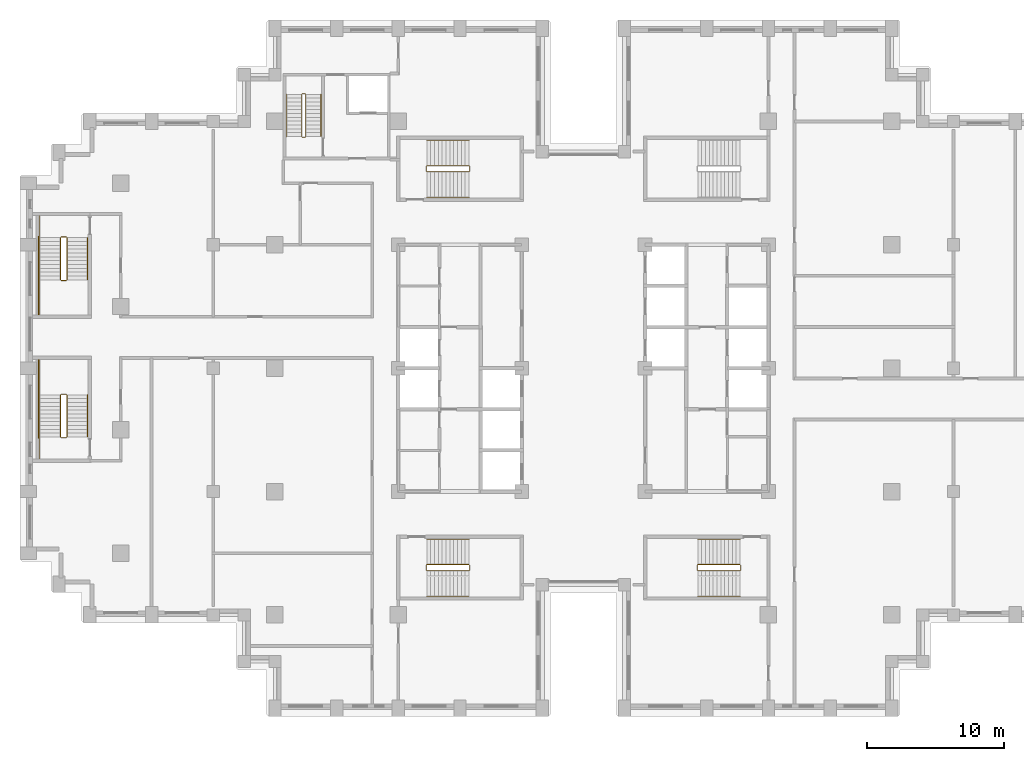
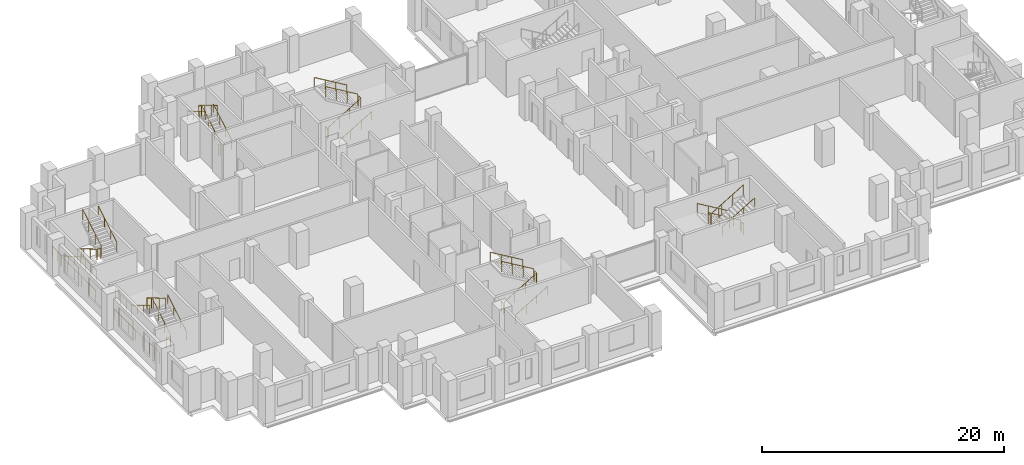
# One storey, part 14 of 15: 6 railings.
"""IFC4 building model written with IfcOpenShell, lengths in metres."""

import ifcopenshell
import ifcopenshell.guid

model = None  # the IFC model being written
_history = None  # IfcOwnerHistory: only IFC2X3 demands one
_inside = {}  # id of a spatial element -> (the spatial element, [elements in it])
_under = {}  # id of a project, library or spatial element -> (it, [spatial elements below it])
_declared = {}  # id of a project -> (the project, [libraries it declares])
_typed = {}  # id of a type object -> (the type object, [elements of that type])
_made_of = {}  # id of a material, layer set ... -> (it, [elements and type objects made of it])


def new_model(schema):
    """Start an empty IFC model of exactly this schema.

    Asked for "IFC4X3", IfcOpenShell would pick the latest addendum, in which some entities
    have other attributes; the version numbers below select the first issue.
    IFC2X3 requires an IfcOwnerHistory on every rooted entity: one is made here for all.
    """
    global model, _history
    if schema == "IFC4X3":
        model = ifcopenshell.file(schema_version=(4, 3, 0, 0))
    else:
        model = ifcopenshell.file(schema=schema)
    _inside.clear()
    _under.clear()
    _declared.clear()
    _typed.clear()
    _made_of.clear()
    _history = None
    if model.schema == "IFC2X3":
        org = make("IfcOrganization", Name="unknown")
        user = make(
            "IfcPersonAndOrganization",
            ThePerson=make("IfcPerson", FamilyName="unknown"),
            TheOrganization=org,
        )
        app = make(
            "IfcApplication",
            ApplicationDeveloper=org,
            Version="unknown",
            ApplicationFullName="unknown",
            ApplicationIdentifier="unknown",
        )
        _history = make(
            "IfcOwnerHistory",
            OwningUser=user,
            OwningApplication=app,
            ChangeAction="ADDED",
            CreationDate=0,
        )
    return model


def make(cls, **values):
    """One entity of the class cls with the attributes given. An attribute that is None is left unset."""
    return model.create_entity(
        cls, **{name: value for name, value in values.items() if value is not None}
    )


def rooted(cls, **values):
    """An entity with a GlobalId (a new one), such as an element, a storey or a relation."""
    return make(cls, GlobalId=ifcopenshell.guid.new(), OwnerHistory=_history, **values)


def si_unit(unit_type, name, prefix=None):
    """IfcSIUnit, for example si_unit("LENGTHUNIT", "METRE", prefix="MILLI")."""
    return make("IfcSIUnit", UnitType=unit_type, Prefix=prefix, Name=name)


def assignment(units):
    """IfcUnitAssignment: the units of a project."""
    return None if units is None else make("IfcUnitAssignment", Units=units)


def point(xyz):
    """IfcCartesianPoint."""
    return None if xyz is None else make("IfcCartesianPoint", Coordinates=xyz)


def direction(xyz):
    """IfcDirection."""
    return None if xyz is None else make("IfcDirection", DirectionRatios=xyz)


def frame(location, z_axis=None, x_axis=None):
    """IfcAxis2Placement3D, a coordinate frame: its origin and axes. An axis left out is left unset."""
    return make(
        "IfcAxis2Placement3D",
        Location=point(location),
        Axis=direction(z_axis),
        RefDirection=direction(x_axis),
    )


def frame_2d(location, x_axis=None):
    """IfcAxis2Placement2D, a coordinate frame in the plane: its origin and x axis."""
    return make(
        "IfcAxis2Placement2D", Location=point(location), RefDirection=direction(x_axis)
    )


def origin():
    """The frame at (0, 0, 0) with its axes left unset."""
    return frame((0.0, 0.0, 0.0))


def origin_2d():
    """The frame at (0, 0) in the plane with its x axis left unset."""
    return frame_2d((0.0, 0.0))


def place(relative_to, where):
    """IfcLocalPlacement: puts the frame where relative to a parent placement (None: the world)."""
    return make(
        "IfcLocalPlacement", PlacementRelTo=relative_to, RelativePlacement=where
    )


def context(
    kind, dimensions, precision=None, world=None, true_north=None, identifier=None
):
    """IfcGeometricRepresentationContext, for example the 3D "Model" context."""
    return make(
        "IfcGeometricRepresentationContext",
        ContextIdentifier=identifier,
        ContextType=kind,
        CoordinateSpaceDimension=dimensions,
        Precision=precision,
        WorldCoordinateSystem=world,
        TrueNorth=true_north,
    )


def subcontext(parent, identifier, kind, view, scale=None):
    """IfcGeometricRepresentationSubContext, for example "Body" below "Model"."""
    return make(
        "IfcGeometricRepresentationSubContext",
        ContextIdentifier=identifier,
        ContextType=kind,
        ParentContext=parent,
        TargetScale=scale,
        TargetView=view,
    )


def project(units=None, contexts=None):
    """IfcProject with its units and contexts."""
    return rooted(
        "IfcProject",
        Name="project",
        RepresentationContexts=contexts,
        UnitsInContext=assignment(units),
    )


def spatial(cls, under=None, at=None, **own):
    """A site, building, storey or space (cls), placed at a placement, below another one or the project."""
    s = rooted(cls, ObjectPlacement=at, **own)
    if under is not None:
        _under.setdefault(under.id(), (under, []))[1].append(s)
    return s


def profile(cls, at=None, kind="AREA", **sizes):
    """A parametric profile (cls). Its sizes go by their IFC names, for example OverallWidth=200.0."""
    return make(cls, ProfileType=kind, Position=at, **sizes)


def circle(**sizes):
    """IfcCircleProfileDef."""
    return profile("IfcCircleProfileDef", **sizes)


def extrude(swept, where, along, depth):
    """IfcExtrudedAreaSolid: the profile swept, set in the frame where, extruded along a direction by depth."""
    return make(
        "IfcExtrudedAreaSolid",
        SweptArea=swept,
        Position=where,
        ExtrudedDirection=direction(along),
        Depth=depth,
    )


def shape(context_of_items, identifier, shape_type, items):
    """IfcShapeRepresentation: the items that make up one representation, for example the "Body"."""
    return make(
        "IfcShapeRepresentation",
        ContextOfItems=context_of_items,
        RepresentationIdentifier=identifier,
        RepresentationType=shape_type,
        Items=items,
    )


def material(Name=None, Category=None):
    """IfcMaterial."""
    return make("IfcMaterial", Name=Name, Category=Category)


def made_of(thing, what):
    """Note that an element or type object is made of a material, layer set ...; save() writes the relation."""
    if what is not None:
        _made_of.setdefault(what.id(), (what, []))[1].append(thing)
    return thing


def type_object(cls, material=None, **own):
    """A type object (cls), such as IfcWallType, which elements share."""
    return made_of(rooted(cls, **own), material)


def element(
    cls,
    number,
    at=None,
    inside=None,
    cuts=None,
    type_object=None,
    material=None,
    context=None,
    identifier="Body",
    shape_type=None,
    held_by="IfcProductDefinitionShape",
    body=None,
    shapes=None,
    **own,
):
    """One element of the class cls, such as IfcWall. Its Tag is "e" and its number.

    at: its placement. inside: the storey or other place that contains it. cuts: it is an
    opening in that element (IfcRelVoidsElement). A single representation is given by context,
    identifier, shape_type and body (its items); several are given by shapes. held_by: the class
    of the entity that holds the representations. save() writes the other relations.
    """
    e = rooted(cls, Tag="e%d" % number, ObjectPlacement=at, **own)
    if body is not None:
        shapes = [shape(context, identifier, shape_type, body)]
    if shapes is not None:
        e.Representation = make(held_by, Representations=shapes)
    if inside is not None:
        _inside.setdefault(inside.id(), (inside, []))[1].append(e)
    if cuts is not None:
        rooted(
            "IfcRelVoidsElement", RelatingBuildingElement=cuts, RelatedOpeningElement=e
        )
    if type_object is not None:
        _typed.setdefault(type_object.id(), (type_object, []))[1].append(e)
    return made_of(e, material)


def aggregate(whole, parts):
    """IfcRelAggregates: a whole, such as a stair, and the parts it consists of."""
    return rooted("IfcRelAggregates", RelatingObject=whole, RelatedObjects=parts)


def save(model, path):
    """Write the relations noted so far, then the file.

    IfcRelAggregates (storeys below a building ...), IfcRelContainedInSpatialStructure (elements
    in a storey), IfcRelDefinesByType, IfcRelAssociatesMaterial and IfcRelDeclares: one each for
    every whole, place, type object, material and project.
    """
    for whole, parts in _under.values():
        aggregate(whole, parts)
    for where, things in _inside.values():
        rooted(
            "IfcRelContainedInSpatialStructure",
            RelatedElements=things,
            RelatingStructure=where,
        )
    for kind, things in _typed.values():
        rooted("IfcRelDefinesByType", RelatedObjects=things, RelatingType=kind)
    for what, things in _made_of.values():
        rooted("IfcRelAssociatesMaterial", RelatedObjects=things, RelatingMaterial=what)
    for by, libraries in _declared.values():
        rooted("IfcRelDeclares", RelatingContext=by, RelatedDefinitions=libraries)
    model.write(path)


model = new_model("IFC4")

# Units and contexts
model_context = context("Model", 3, precision=1e-05, world=origin(), true_north=direction((0.0, 1.0)))
body_context = subcontext(model_context, "Body", "Model", "MODEL_VIEW")
ifc_project = project(units=[si_unit("LENGTHUNIT", "METRE"), si_unit("AREAUNIT", "SQUARE_METRE"), si_unit("VOLUMEUNIT", "CUBIC_METRE"), si_unit("PLANEANGLEUNIT", "RADIAN"), si_unit("MASSUNIT", "GRAM", prefix="KILO")], contexts=[model_context])

# Site, building, storey
site_placement = place(None, origin())
site = spatial("IfcSite", under=ifc_project, at=site_placement, CompositionType="ELEMENT")
building_placement = place(site_placement, origin())
building = spatial("IfcBuilding", under=site, at=building_placement, Name="Corbelhall Arena Tower", CompositionType="ELEMENT")
storey_placement = place(building_placement, frame((0.0, 0.0, 84.0)))
storey = spatial("IfcBuildingStorey", under=building, at=storey_placement, Name="L13", CompositionType="ELEMENT", Elevation=84.0)

# Railings
ifc_material = material(Name="Steel ASTM A500 Gr C", Category="steel")
railing_type = type_object("IfcRailingType", Name="IN-GD-1100", PredefinedType="GUARDRAIL", material=ifc_material)
railing_1_placement = place(storey_placement, frame((-11.425048828125, 14.324951171875, 0.166748046875)))
element("IfcRailing", 1, at=railing_1_placement, inside=storey, type_object=railing_type, Name="L13 ST1 stair guards and handrails", PredefinedType="GUARDRAIL", context=body_context, shape_type="SweptSolid", body=[
    extrude(circle(Radius=0.02392578125, at=origin_2d()), frame((0.0, 0.0, 1.076171875), z_axis=(0.859308565015, 0.0, 0.511457515432), x_axis=(0.0, 1.0, 0.0)), (0.0, 0.0, 1.0), 3.58447265625),
    extrude(circle(Radius=0.02392578125, at=origin_2d()), frame((3.130126953125, 0.050048828125, 2.9091796875), z_axis=(0.0, 1.0, 0.0), x_axis=(-1.0, 0.0, 0.0)), (0.0, 0.0, 1.0), 0.35009765625),
    extrude(circle(Radius=0.02392578125, at=origin_2d()), frame((3.080078125, 0.449951171875, 3.076171875), z_axis=(-0.859308565015, 0.0, 0.511457515432), x_axis=(0.0, -1.0, 0.0)), (0.0, 0.0, 1.0), 3.58447265625),
    extrude(circle(Radius=0.02392578125, at=origin_2d()), frame((-0.050048828125, 0.050048828125, 0.9091796875), z_axis=(0.0, 1.0, 0.0), x_axis=(-1.0, 0.0, 0.0)), (0.0, 0.0, 1.0), 0.35009765625),
    extrude(circle(Radius=0.02392578125, at=origin_2d()), frame((0.0, -1.849853515625, 0.8759765625), z_axis=(0.859308565015, 0.0, 0.511457515432), x_axis=(0.0, 1.0, 0.0)), (0.0, 0.0, 1.0), 3.58447265625),
    extrude(circle(Radius=0.02392578125, at=origin_2d()), frame((3.080078125, 2.300048828125, 2.8759765625), z_axis=(-0.859308565015, 0.0, 0.511457515432), x_axis=(0.0, -1.0, 0.0)), (0.0, 0.0, 1.0), 3.58447265625),
    extrude(circle(Radius=0.02099609375, at=origin_2d()), origin(), (0.0, 0.0, 1.0), 1.052001953125),
    extrude(circle(Radius=0.02099609375, at=origin_2d()), frame((1.026611328125, 0.0, 0.611083984375)), (0.0, 0.0, 1.0), 1.052001953125),
    extrude(circle(Radius=0.02099609375, at=origin_2d()), frame((2.053466796875, 0.0, 1.22216796875)), (0.0, 0.0, 1.0), 1.052001953125),
    extrude(circle(Radius=0.02099609375, at=origin_2d()), frame((3.080078125, 0.0, 1.833251953125)), (0.0, 0.0, 1.0), 1.052001953125),
    extrude(circle(Radius=0.02099609375, at=origin_2d()), frame((3.130126953125, 0.050048828125, 1.833251953125)), (0.0, 0.0, 1.0), 1.052001953125),
    extrude(circle(Radius=0.02099609375, at=origin_2d()), frame((3.130126953125, 0.400146484375, 1.833251953125)), (0.0, 0.0, 1.0), 1.052001953125),
    extrude(circle(Radius=0.02099609375, at=origin_2d()), frame((3.080078125, 0.449951171875, 2.0)), (0.0, 0.0, 1.0), 1.052001953125),
    extrude(circle(Radius=0.02099609375, at=origin_2d()), frame((2.053466796875, 0.449951171875, 2.611083984375)), (0.0, 0.0, 1.0), 1.052001953125),
    extrude(circle(Radius=0.02099609375, at=origin_2d()), frame((1.026611328125, 0.449951171875, 3.22216796875)), (0.0, 0.0, 1.0), 1.052001953125),
    extrude(circle(Radius=0.02099609375, at=origin_2d()), frame((0.0, 0.449951171875, 3.833251953125)), (0.0, 0.0, 1.0), 1.052001953125),
    extrude(circle(Radius=0.02099609375, at=origin_2d()), frame((-0.050048828125, 0.050048828125, -0.166748046875)), (0.0, 0.0, 1.0), 1.052001953125),
    extrude(circle(Radius=0.02099609375, at=origin_2d()), frame((-0.050048828125, 0.400146484375, -0.166748046875)), (0.0, 0.0, 1.0), 1.052001953125),
    extrude(circle(Radius=0.02099609375, at=origin_2d()), frame((0.0, -1.849853515625, 0.0)), (0.0, 0.0, 1.0), 0.851806640625),
    extrude(circle(Radius=0.02099609375, at=origin_2d()), frame((1.026611328125, -1.849853515625, 0.611083984375)), (0.0, 0.0, 1.0), 0.851806640625),
    extrude(circle(Radius=0.02099609375, at=origin_2d()), frame((2.053466796875, -1.849853515625, 1.22216796875)), (0.0, 0.0, 1.0), 0.851806640625),
    extrude(circle(Radius=0.02099609375, at=origin_2d()), frame((3.080078125, -1.849853515625, 1.833251953125)), (0.0, 0.0, 1.0), 0.851806640625),
    extrude(circle(Radius=0.02099609375, at=origin_2d()), frame((3.080078125, 2.300048828125, 2.0)), (0.0, 0.0, 1.0), 0.851806640625),
    extrude(circle(Radius=0.02099609375, at=origin_2d()), frame((2.053466796875, 2.300048828125, 2.611083984375)), (0.0, 0.0, 1.0), 0.851806640625),
    extrude(circle(Radius=0.02099609375, at=origin_2d()), frame((1.026611328125, 2.300048828125, 3.22216796875)), (0.0, 0.0, 1.0), 0.851806640625),
    extrude(circle(Radius=0.02099609375, at=origin_2d()), frame((0.0, 2.300048828125, 3.833251953125)), (0.0, 0.0, 1.0), 0.851806640625),
])
railing_2_placement = place(storey_placement, frame((-11.425048828125, -14.77490234375, 0.166748046875)))
element("IfcRailing", 2, at=railing_2_placement, inside=storey, type_object=railing_type, Name="L13 ST2 stair guards and handrails", PredefinedType="GUARDRAIL", context=body_context, shape_type="SweptSolid", body=[
    extrude(circle(Radius=0.02392578125, at=origin_2d()), frame((0.0, 0.0, 1.076171875), z_axis=(0.859308565015, 0.0, 0.511457515432), x_axis=(0.0, 1.0, 0.0)), (0.0, 0.0, 1.0), 3.58447265625),
    extrude(circle(Radius=0.02392578125, at=origin_2d()), frame((3.130126953125, 0.0498046875, 2.9091796875), z_axis=(0.0, 1.0, 0.0), x_axis=(-1.0, 0.0, 0.0)), (0.0, 0.0, 1.0), 0.35009765625),
    extrude(circle(Radius=0.02392578125, at=origin_2d()), frame((3.080078125, 0.449951171875, 3.076171875), z_axis=(-0.859308565015, 0.0, 0.511457515432), x_axis=(0.0, -1.0, 0.0)), (0.0, 0.0, 1.0), 3.58447265625),
    extrude(circle(Radius=0.02392578125, at=origin_2d()), frame((-0.050048828125, 0.0498046875, 0.9091796875), z_axis=(0.0, 1.0, 0.0), x_axis=(-1.0, 0.0, 0.0)), (0.0, 0.0, 1.0), 0.35009765625),
    extrude(circle(Radius=0.02392578125, at=origin_2d()), frame((0.0, -1.85009765625, 0.8759765625), z_axis=(0.859308565015, 0.0, 0.511457515432), x_axis=(0.0, 1.0, 0.0)), (0.0, 0.0, 1.0), 3.58447265625),
    extrude(circle(Radius=0.02392578125, at=origin_2d()), frame((3.080078125, 2.2998046875, 2.8759765625), z_axis=(-0.859308565015, 0.0, 0.511457515432), x_axis=(0.0, -1.0, 0.0)), (0.0, 0.0, 1.0), 3.58447265625),
    extrude(circle(Radius=0.02099609375, at=origin_2d()), origin(), (0.0, 0.0, 1.0), 1.052001953125),
    extrude(circle(Radius=0.02099609375, at=origin_2d()), frame((1.026611328125, 0.0, 0.611083984375)), (0.0, 0.0, 1.0), 1.052001953125),
    extrude(circle(Radius=0.02099609375, at=origin_2d()), frame((2.053466796875, 0.0, 1.22216796875)), (0.0, 0.0, 1.0), 1.052001953125),
    extrude(circle(Radius=0.02099609375, at=origin_2d()), frame((3.080078125, 0.0, 1.833251953125)), (0.0, 0.0, 1.0), 1.052001953125),
    extrude(circle(Radius=0.02099609375, at=origin_2d()), frame((3.130126953125, 0.0498046875, 1.833251953125)), (0.0, 0.0, 1.0), 1.052001953125),
    extrude(circle(Radius=0.02099609375, at=origin_2d()), frame((3.130126953125, 0.39990234375, 1.833251953125)), (0.0, 0.0, 1.0), 1.052001953125),
    extrude(circle(Radius=0.02099609375, at=origin_2d()), frame((3.080078125, 0.449951171875, 2.0)), (0.0, 0.0, 1.0), 1.052001953125),
    extrude(circle(Radius=0.02099609375, at=origin_2d()), frame((2.053466796875, 0.449951171875, 2.611083984375)), (0.0, 0.0, 1.0), 1.052001953125),
    extrude(circle(Radius=0.02099609375, at=origin_2d()), frame((1.026611328125, 0.449951171875, 3.22216796875)), (0.0, 0.0, 1.0), 1.052001953125),
    extrude(circle(Radius=0.02099609375, at=origin_2d()), frame((0.0, 0.449951171875, 3.833251953125)), (0.0, 0.0, 1.0), 1.052001953125),
    extrude(circle(Radius=0.02099609375, at=origin_2d()), frame((-0.050048828125, 0.0498046875, -0.166748046875)), (0.0, 0.0, 1.0), 1.052001953125),
    extrude(circle(Radius=0.02099609375, at=origin_2d()), frame((-0.050048828125, 0.39990234375, -0.166748046875)), (0.0, 0.0, 1.0), 1.052001953125),
    extrude(circle(Radius=0.02099609375, at=origin_2d()), frame((0.0, -1.85009765625, 0.0)), (0.0, 0.0, 1.0), 0.851806640625),
    extrude(circle(Radius=0.02099609375, at=origin_2d()), frame((1.026611328125, -1.85009765625, 0.611083984375)), (0.0, 0.0, 1.0), 0.851806640625),
    extrude(circle(Radius=0.02099609375, at=origin_2d()), frame((2.053466796875, -1.85009765625, 1.22216796875)), (0.0, 0.0, 1.0), 0.851806640625),
    extrude(circle(Radius=0.02099609375, at=origin_2d()), frame((3.080078125, -1.85009765625, 1.833251953125)), (0.0, 0.0, 1.0), 0.851806640625),
    extrude(circle(Radius=0.02099609375, at=origin_2d()), frame((3.080078125, 2.2998046875, 2.0)), (0.0, 0.0, 1.0), 0.851806640625),
    extrude(circle(Radius=0.02099609375, at=origin_2d()), frame((2.053466796875, 2.2998046875, 2.611083984375)), (0.0, 0.0, 1.0), 0.851806640625),
    extrude(circle(Radius=0.02099609375, at=origin_2d()), frame((1.026611328125, 2.2998046875, 3.22216796875)), (0.0, 0.0, 1.0), 0.851806640625),
    extrude(circle(Radius=0.02099609375, at=origin_2d()), frame((0.0, 2.2998046875, 3.833251953125)), (0.0, 0.0, 1.0), 0.851806640625),
])
railing_3_placement = place(storey_placement, frame((11.425048828125, -14.324951171875, 0.166748046875)))
element("IfcRailing", 3, at=railing_3_placement, inside=storey, type_object=railing_type, Name="L13 ST4 stair guards and handrails", PredefinedType="GUARDRAIL", context=body_context, shape_type="SweptSolid", body=[
    extrude(circle(Radius=0.02392578125, at=origin_2d()), frame((0.0, 0.0, 1.076171875), z_axis=(-0.859308565015, 0.0, 0.511457515432), x_axis=(0.0, -1.0, 0.0)), (0.0, 0.0, 1.0), 3.58447265625),
    extrude(circle(Radius=0.02392578125, at=origin_2d()), frame((-3.130126953125, -0.050048828125, 2.9091796875), z_axis=(0.0, -1.0, 0.0), x_axis=(1.0, 0.0, 0.0)), (0.0, 0.0, 1.0), 0.35009765625),
    extrude(circle(Radius=0.02392578125, at=origin_2d()), frame((-3.080078125, -0.449951171875, 3.076171875), z_axis=(0.859308565015, 0.0, 0.511457515432), x_axis=(0.0, 1.0, 0.0)), (0.0, 0.0, 1.0), 3.58447265625),
    extrude(circle(Radius=0.02392578125, at=origin_2d()), frame((0.050048828125, -0.050048828125, 0.9091796875), z_axis=(0.0, -1.0, 0.0), x_axis=(1.0, 0.0, 0.0)), (0.0, 0.0, 1.0), 0.35009765625),
    extrude(circle(Radius=0.02392578125, at=origin_2d()), frame((0.0, 1.849853515625, 0.8759765625), z_axis=(-0.859308565015, 0.0, 0.511457515432), x_axis=(0.0, -1.0, 0.0)), (0.0, 0.0, 1.0), 3.58447265625),
    extrude(circle(Radius=0.02392578125, at=origin_2d()), frame((-3.080078125, -2.300048828125, 2.8759765625), z_axis=(0.859308565015, 0.0, 0.511457515432), x_axis=(0.0, 1.0, 0.0)), (0.0, 0.0, 1.0), 3.58447265625),
    extrude(circle(Radius=0.02099609375, at=origin_2d()), origin(), (0.0, 0.0, 1.0), 1.052001953125),
    extrude(circle(Radius=0.02099609375, at=origin_2d()), frame((-1.026611328125, 0.0, 0.611083984375)), (0.0, 0.0, 1.0), 1.052001953125),
    extrude(circle(Radius=0.02099609375, at=origin_2d()), frame((-2.053466796875, 0.0, 1.22216796875)), (0.0, 0.0, 1.0), 1.052001953125),
    extrude(circle(Radius=0.02099609375, at=origin_2d()), frame((-3.080078125, 0.0, 1.833251953125)), (0.0, 0.0, 1.0), 1.052001953125),
    extrude(circle(Radius=0.02099609375, at=origin_2d()), frame((-3.130126953125, -0.050048828125, 1.833251953125)), (0.0, 0.0, 1.0), 1.052001953125),
    extrude(circle(Radius=0.02099609375, at=origin_2d()), frame((-3.130126953125, -0.400146484375, 1.833251953125)), (0.0, 0.0, 1.0), 1.052001953125),
    extrude(circle(Radius=0.02099609375, at=origin_2d()), frame((-3.080078125, -0.449951171875, 2.0)), (0.0, 0.0, 1.0), 1.052001953125),
    extrude(circle(Radius=0.02099609375, at=origin_2d()), frame((-2.053466796875, -0.449951171875, 2.611083984375)), (0.0, 0.0, 1.0), 1.052001953125),
    extrude(circle(Radius=0.02099609375, at=origin_2d()), frame((-1.026611328125, -0.449951171875, 3.22216796875)), (0.0, 0.0, 1.0), 1.052001953125),
    extrude(circle(Radius=0.02099609375, at=origin_2d()), frame((0.0, -0.449951171875, 3.833251953125)), (0.0, 0.0, 1.0), 1.052001953125),
    extrude(circle(Radius=0.02099609375, at=origin_2d()), frame((0.050048828125, -0.050048828125, -0.166748046875)), (0.0, 0.0, 1.0), 1.052001953125),
    extrude(circle(Radius=0.02099609375, at=origin_2d()), frame((0.050048828125, -0.400146484375, -0.166748046875)), (0.0, 0.0, 1.0), 1.052001953125),
    extrude(circle(Radius=0.02099609375, at=origin_2d()), frame((0.0, 1.849853515625, 0.0)), (0.0, 0.0, 1.0), 0.851806640625),
    extrude(circle(Radius=0.02099609375, at=origin_2d()), frame((-1.026611328125, 1.849853515625, 0.611083984375)), (0.0, 0.0, 1.0), 0.851806640625),
    extrude(circle(Radius=0.02099609375, at=origin_2d()), frame((-2.053466796875, 1.849853515625, 1.22216796875)), (0.0, 0.0, 1.0), 0.851806640625),
    extrude(circle(Radius=0.02099609375, at=origin_2d()), frame((-3.080078125, 1.849853515625, 1.833251953125)), (0.0, 0.0, 1.0), 0.851806640625),
    extrude(circle(Radius=0.02099609375, at=origin_2d()), frame((-3.080078125, -2.300048828125, 2.0)), (0.0, 0.0, 1.0), 0.851806640625),
    extrude(circle(Radius=0.02099609375, at=origin_2d()), frame((-2.053466796875, -2.300048828125, 2.611083984375)), (0.0, 0.0, 1.0), 0.851806640625),
    extrude(circle(Radius=0.02099609375, at=origin_2d()), frame((-1.026611328125, -2.300048828125, 3.22216796875)), (0.0, 0.0, 1.0), 0.851806640625),
    extrude(circle(Radius=0.02099609375, at=origin_2d()), frame((0.0, -2.300048828125, 3.833251953125)), (0.0, 0.0, 1.0), 0.851806640625),
])
railing_4_placement = place(storey_placement, frame((-38.14990234375, 9.52490234375, 0.166748046875)))
element("IfcRailing", 4, at=railing_4_placement, inside=storey, type_object=railing_type, Name="L13 SC1 stair guards and handrails", PredefinedType="GUARDRAIL", context=body_context, shape_type="SweptSolid", body=[
    extrude(circle(Radius=0.02392578125, at=origin_2d()), frame((0.0, 0.0, 1.076171875), z_axis=(0.0, -0.859290745958, 0.51148745235), x_axis=(1.0, 0.0, 0.0)), (0.0, 0.0, 1.0), 3.584228515625),
    extrude(circle(Radius=0.02392578125, at=origin_2d()), frame((0.0498046875, -3.1298828125, 2.9091796875), z_axis=(1.0, 0.0, 0.0), x_axis=(0.0, 1.0, 0.0)), (0.0, 0.0, 1.0), 0.375),
    extrude(circle(Radius=0.02392578125, at=origin_2d()), frame((-1.5, -3.079833984375, 2.9091796875), z_axis=(0.0, -1.0, 0.0), x_axis=(1.0, 0.0, 0.0)), (0.0, 0.0, 1.0), 2.570068359375),
    extrude(circle(Radius=0.02392578125, at=origin_2d()), frame((0.474853515625, -3.079833984375, 3.076171875), z_axis=(0.0, 0.859290745958, 0.51148745235), x_axis=(-1.0, 0.0, 0.0)), (0.0, 0.0, 1.0), 3.584228515625),
    extrude(circle(Radius=0.02392578125, at=origin_2d()), frame((0.0498046875, 0.050048828125, 0.9091796875), z_axis=(1.0, 0.0, 0.0), x_axis=(0.0, 1.0, 0.0)), (0.0, 0.0, 1.0), 0.375),
    extrude(circle(Radius=0.02392578125, at=origin_2d()), frame((-1.5, 1.60009765625, 0.9091796875), z_axis=(0.0, -1.0, 0.0), x_axis=(1.0, 0.0, 0.0)), (0.0, 0.0, 1.0), 1.60009765625),
    extrude(circle(Radius=0.02392578125, at=origin_2d()), frame((-1.60009765625, 0.10009765625, 0.9091796875), z_axis=(0.0, -1.0, 0.0), x_axis=(1.0, 0.0, 0.0)), (0.0, 0.0, 1.0), 5.85009765625),
    extrude(circle(Radius=0.02392578125, at=origin_2d()), frame((-1.5, 0.0, 0.8759765625), z_axis=(0.0, -0.859290745958, 0.51148745235), x_axis=(1.0, 0.0, 0.0)), (0.0, 0.0, 1.0), 3.584228515625),
    extrude(circle(Radius=0.02392578125, at=origin_2d()), frame((1.974853515625, -3.079833984375, 2.8759765625), z_axis=(0.0, 0.859290745958, 0.51148745235), x_axis=(-1.0, 0.0, 0.0)), (0.0, 0.0, 1.0), 3.584228515625),
    extrude(circle(Radius=0.02099609375, at=origin_2d()), origin(), (0.0, 0.0, 1.0), 1.052001953125),
    extrude(circle(Radius=0.02099609375, at=origin_2d()), frame((0.0, -1.026611328125, 0.611083984375)), (0.0, 0.0, 1.0), 1.052001953125),
    extrude(circle(Radius=0.02099609375, at=origin_2d()), frame((0.0, -2.05322265625, 1.22216796875)), (0.0, 0.0, 1.0), 1.052001953125),
    extrude(circle(Radius=0.02099609375, at=origin_2d()), frame((0.0, -3.079833984375, 1.833251953125)), (0.0, 0.0, 1.0), 1.052001953125),
    extrude(circle(Radius=0.02099609375, at=origin_2d()), frame((0.0498046875, -3.1298828125, 1.833251953125)), (0.0, 0.0, 1.0), 1.052001953125),
    extrude(circle(Radius=0.02099609375, at=origin_2d()), frame((0.4248046875, -3.1298828125, 1.833251953125)), (0.0, 0.0, 1.0), 1.052001953125),
    extrude(circle(Radius=0.02099609375, at=origin_2d()), frame((-1.5, -3.079833984375, 1.833251953125)), (0.0, 0.0, 1.0), 1.052001953125),
    extrude(circle(Radius=0.02099609375, at=origin_2d()), frame((-1.5, -3.9365234375, 1.833251953125)), (0.0, 0.0, 1.0), 1.052001953125),
    extrude(circle(Radius=0.02099609375, at=origin_2d()), frame((-1.5, -4.793212890625, 1.833251953125)), (0.0, 0.0, 1.0), 1.052001953125),
    extrude(circle(Radius=0.02099609375, at=origin_2d()), frame((-1.5, -5.64990234375, 1.833251953125)), (0.0, 0.0, 1.0), 1.052001953125),
    extrude(circle(Radius=0.02099609375, at=origin_2d()), frame((0.474853515625, -3.079833984375, 2.0)), (0.0, 0.0, 1.0), 1.052001953125),
    extrude(circle(Radius=0.02099609375, at=origin_2d()), frame((0.474853515625, -2.05322265625, 2.611083984375)), (0.0, 0.0, 1.0), 1.052001953125),
    extrude(circle(Radius=0.02099609375, at=origin_2d()), frame((0.474853515625, -1.026611328125, 3.22216796875)), (0.0, 0.0, 1.0), 1.052001953125),
    extrude(circle(Radius=0.02099609375, at=origin_2d()), frame((0.474853515625, 0.0, 3.833251953125)), (0.0, 0.0, 1.0), 1.052001953125),
    extrude(circle(Radius=0.02099609375, at=origin_2d()), frame((0.0498046875, 0.050048828125, -0.166748046875)), (0.0, 0.0, 1.0), 1.052001953125),
    extrude(circle(Radius=0.02099609375, at=origin_2d()), frame((0.4248046875, 0.050048828125, -0.166748046875)), (0.0, 0.0, 1.0), 1.052001953125),
    extrude(circle(Radius=0.02099609375, at=origin_2d()), frame((-1.5, 1.60009765625, -0.166748046875)), (0.0, 0.0, 1.0), 1.052001953125),
    extrude(circle(Radius=0.02099609375, at=origin_2d()), frame((-1.5, 0.800048828125, -0.166748046875)), (0.0, 0.0, 1.0), 1.052001953125),
    extrude(circle(Radius=0.02099609375, at=origin_2d()), frame((-1.5, 0.0, -0.166748046875)), (0.0, 0.0, 1.0), 1.052001953125),
    extrude(circle(Radius=0.02099609375, at=origin_2d()), frame((-1.60009765625, 0.10009765625, -0.166748046875)), (0.0, 0.0, 1.0), 1.052001953125),
    extrude(circle(Radius=0.02099609375, at=origin_2d()), frame((-1.60009765625, -1.06982421875, -0.166748046875)), (0.0, 0.0, 1.0), 1.052001953125),
    extrude(circle(Radius=0.02099609375, at=origin_2d()), frame((-1.60009765625, -2.239990234375, -0.166748046875)), (0.0, 0.0, 1.0), 1.052001953125),
    extrude(circle(Radius=0.02099609375, at=origin_2d()), frame((-1.60009765625, -3.409912109375, -0.166748046875)), (0.0, 0.0, 1.0), 1.052001953125),
    extrude(circle(Radius=0.02099609375, at=origin_2d()), frame((-1.60009765625, -4.580078125, -0.166748046875)), (0.0, 0.0, 1.0), 1.052001953125),
    extrude(circle(Radius=0.02099609375, at=origin_2d()), frame((-1.60009765625, -5.75, -0.166748046875)), (0.0, 0.0, 1.0), 1.052001953125),
    extrude(circle(Radius=0.02099609375, at=origin_2d()), frame((-1.5, 0.0, 0.0)), (0.0, 0.0, 1.0), 0.851806640625),
    extrude(circle(Radius=0.02099609375, at=origin_2d()), frame((-1.5, -1.026611328125, 0.611083984375)), (0.0, 0.0, 1.0), 0.851806640625),
    extrude(circle(Radius=0.02099609375, at=origin_2d()), frame((-1.5, -2.05322265625, 1.22216796875)), (0.0, 0.0, 1.0), 0.851806640625),
    extrude(circle(Radius=0.02099609375, at=origin_2d()), frame((1.974853515625, -3.079833984375, 2.0)), (0.0, 0.0, 1.0), 0.851806640625),
    extrude(circle(Radius=0.02099609375, at=origin_2d()), frame((1.974853515625, -2.05322265625, 2.611083984375)), (0.0, 0.0, 1.0), 0.851806640625),
    extrude(circle(Radius=0.02099609375, at=origin_2d()), frame((1.974853515625, -1.026611328125, 3.22216796875)), (0.0, 0.0, 1.0), 0.851806640625),
    extrude(circle(Radius=0.02099609375, at=origin_2d()), frame((1.974853515625, 0.0, 3.833251953125)), (0.0, 0.0, 1.0), 0.851806640625),
])
railing_5_placement = place(storey_placement, frame((-37.675048828125, -5.02490234375, 0.166748046875)))
element("IfcRailing", 5, at=railing_5_placement, inside=storey, type_object=railing_type, Name="L13 SC2 stair guards and handrails", PredefinedType="GUARDRAIL", context=body_context, shape_type="SweptSolid", body=[
    extrude(circle(Radius=0.02392578125, at=origin_2d()), frame((0.0, 0.0, 1.076171875), z_axis=(0.0, 0.859290745958, 0.51148745235), x_axis=(-1.0, 0.0, 0.0)), (0.0, 0.0, 1.0), 3.584228515625),
    extrude(circle(Radius=0.02392578125, at=origin_2d()), frame((-0.050048828125, 3.1298828125, 2.9091796875), z_axis=(-1.0, 0.0, 0.0), x_axis=(0.0, -1.0, 0.0)), (0.0, 0.0, 1.0), 0.375),
    extrude(circle(Radius=0.02392578125, at=origin_2d()), frame((-1.974853515625, 3.079833984375, 2.9091796875), z_axis=(0.0, 1.0, 0.0), x_axis=(-1.0, 0.0, 0.0)), (0.0, 0.0, 1.0), 2.570068359375),
    extrude(circle(Radius=0.02392578125, at=origin_2d()), frame((-0.474853515625, 3.079833984375, 3.076171875), z_axis=(0.0, -0.859290745958, 0.51148745235), x_axis=(1.0, 0.0, 0.0)), (0.0, 0.0, 1.0), 3.584228515625),
    extrude(circle(Radius=0.02392578125, at=origin_2d()), frame((-0.050048828125, -0.050048828125, 0.9091796875), z_axis=(-1.0, 0.0, 0.0), x_axis=(0.0, -1.0, 0.0)), (0.0, 0.0, 1.0), 0.375),
    extrude(circle(Radius=0.02392578125, at=origin_2d()), frame((-1.974853515625, -1.60009765625, 0.9091796875), z_axis=(0.0, 1.0, 0.0), x_axis=(-1.0, 0.0, 0.0)), (0.0, 0.0, 1.0), 1.60009765625),
    extrude(circle(Radius=0.02392578125, at=origin_2d()), frame((-2.074951171875, -0.10009765625, 0.9091796875), z_axis=(0.0, 1.0, 0.0), x_axis=(-1.0, 0.0, 0.0)), (0.0, 0.0, 1.0), 5.85009765625),
    extrude(circle(Radius=0.02392578125, at=origin_2d()), frame((1.5, 0.0, 0.8759765625), z_axis=(0.0, 0.859290745958, 0.51148745235), x_axis=(-1.0, 0.0, 0.0)), (0.0, 0.0, 1.0), 3.584228515625),
    extrude(circle(Radius=0.02392578125, at=origin_2d()), frame((-1.974853515625, 3.079833984375, 2.8759765625), z_axis=(0.0, -0.859290745958, 0.51148745235), x_axis=(1.0, 0.0, 0.0)), (0.0, 0.0, 1.0), 3.584228515625),
    extrude(circle(Radius=0.02099609375, at=origin_2d()), origin(), (0.0, 0.0, 1.0), 1.052001953125),
    extrude(circle(Radius=0.02099609375, at=origin_2d()), frame((0.0, 1.026611328125, 0.611083984375)), (0.0, 0.0, 1.0), 1.052001953125),
    extrude(circle(Radius=0.02099609375, at=origin_2d()), frame((0.0, 2.05322265625, 1.22216796875)), (0.0, 0.0, 1.0), 1.052001953125),
    extrude(circle(Radius=0.02099609375, at=origin_2d()), frame((0.0, 3.079833984375, 1.833251953125)), (0.0, 0.0, 1.0), 1.052001953125),
    extrude(circle(Radius=0.02099609375, at=origin_2d()), frame((-0.050048828125, 3.1298828125, 1.833251953125)), (0.0, 0.0, 1.0), 1.052001953125),
    extrude(circle(Radius=0.02099609375, at=origin_2d()), frame((-0.425048828125, 3.1298828125, 1.833251953125)), (0.0, 0.0, 1.0), 1.052001953125),
    extrude(circle(Radius=0.02099609375, at=origin_2d()), frame((-1.974853515625, 3.079833984375, 1.833251953125)), (0.0, 0.0, 1.0), 1.052001953125),
    extrude(circle(Radius=0.02099609375, at=origin_2d()), frame((-1.974853515625, 3.9365234375, 1.833251953125)), (0.0, 0.0, 1.0), 1.052001953125),
    extrude(circle(Radius=0.02099609375, at=origin_2d()), frame((-1.974853515625, 4.793212890625, 1.833251953125)), (0.0, 0.0, 1.0), 1.052001953125),
    extrude(circle(Radius=0.02099609375, at=origin_2d()), frame((-1.974853515625, 5.64990234375, 1.833251953125)), (0.0, 0.0, 1.0), 1.052001953125),
    extrude(circle(Radius=0.02099609375, at=origin_2d()), frame((-0.474853515625, 3.079833984375, 2.0)), (0.0, 0.0, 1.0), 1.052001953125),
    extrude(circle(Radius=0.02099609375, at=origin_2d()), frame((-0.474853515625, 2.05322265625, 2.611083984375)), (0.0, 0.0, 1.0), 1.052001953125),
    extrude(circle(Radius=0.02099609375, at=origin_2d()), frame((-0.474853515625, 1.026611328125, 3.22216796875)), (0.0, 0.0, 1.0), 1.052001953125),
    extrude(circle(Radius=0.02099609375, at=origin_2d()), frame((-0.474853515625, 0.0, 3.833251953125)), (0.0, 0.0, 1.0), 1.052001953125),
    extrude(circle(Radius=0.02099609375, at=origin_2d()), frame((-0.050048828125, -0.050048828125, -0.166748046875)), (0.0, 0.0, 1.0), 1.052001953125),
    extrude(circle(Radius=0.02099609375, at=origin_2d()), frame((-0.425048828125, -0.050048828125, -0.166748046875)), (0.0, 0.0, 1.0), 1.052001953125),
    extrude(circle(Radius=0.02099609375, at=origin_2d()), frame((-1.974853515625, -1.60009765625, -0.166748046875)), (0.0, 0.0, 1.0), 1.052001953125),
    extrude(circle(Radius=0.02099609375, at=origin_2d()), frame((-1.974853515625, -0.800048828125, -0.166748046875)), (0.0, 0.0, 1.0), 1.052001953125),
    extrude(circle(Radius=0.02099609375, at=origin_2d()), frame((-1.974853515625, 0.0, -0.166748046875)), (0.0, 0.0, 1.0), 1.052001953125),
    extrude(circle(Radius=0.02099609375, at=origin_2d()), frame((-2.074951171875, -0.10009765625, -0.166748046875)), (0.0, 0.0, 1.0), 1.052001953125),
    extrude(circle(Radius=0.02099609375, at=origin_2d()), frame((-2.074951171875, 1.06982421875, -0.166748046875)), (0.0, 0.0, 1.0), 1.052001953125),
    extrude(circle(Radius=0.02099609375, at=origin_2d()), frame((-2.074951171875, 2.239990234375, -0.166748046875)), (0.0, 0.0, 1.0), 1.052001953125),
    extrude(circle(Radius=0.02099609375, at=origin_2d()), frame((-2.074951171875, 3.409912109375, -0.166748046875)), (0.0, 0.0, 1.0), 1.052001953125),
    extrude(circle(Radius=0.02099609375, at=origin_2d()), frame((-2.074951171875, 4.580078125, -0.166748046875)), (0.0, 0.0, 1.0), 1.052001953125),
    extrude(circle(Radius=0.02099609375, at=origin_2d()), frame((-2.074951171875, 5.75, -0.166748046875)), (0.0, 0.0, 1.0), 1.052001953125),
    extrude(circle(Radius=0.02099609375, at=origin_2d()), frame((1.5, 0.0, 0.0)), (0.0, 0.0, 1.0), 0.851806640625),
    extrude(circle(Radius=0.02099609375, at=origin_2d()), frame((1.5, 1.026611328125, 0.611083984375)), (0.0, 0.0, 1.0), 0.851806640625),
    extrude(circle(Radius=0.02099609375, at=origin_2d()), frame((1.5, 2.05322265625, 1.22216796875)), (0.0, 0.0, 1.0), 0.851806640625),
    extrude(circle(Radius=0.02099609375, at=origin_2d()), frame((1.5, 3.079833984375, 1.833251953125)), (0.0, 0.0, 1.0), 0.851806640625),
    extrude(circle(Radius=0.02099609375, at=origin_2d()), frame((-1.974853515625, 3.079833984375, 2.0)), (0.0, 0.0, 1.0), 0.851806640625),
    extrude(circle(Radius=0.02099609375, at=origin_2d()), frame((-1.974853515625, 2.05322265625, 2.611083984375)), (0.0, 0.0, 1.0), 0.851806640625),
    extrude(circle(Radius=0.02099609375, at=origin_2d()), frame((-1.974853515625, 1.026611328125, 3.22216796875)), (0.0, 0.0, 1.0), 0.851806640625),
    extrude(circle(Radius=0.02099609375, at=origin_2d()), frame((-1.974853515625, 0.0, 3.833251953125)), (0.0, 0.0, 1.0), 0.851806640625),
])
railing_6_placement = place(storey_placement, frame((-20.2451171875, 16.89990234375, 0.166748046875)))
element("IfcRailing", 6, at=railing_6_placement, inside=storey, type_object=railing_type, Name="L13 ST5 stair guards and handrails", PredefinedType="GUARDRAIL", context=body_context, shape_type="SweptSolid", body=[
    extrude(circle(Radius=0.02392578125, at=origin_2d()), frame((0.0, 0.0, 1.076171875), z_axis=(0.0, 0.859308565015, 0.511457515432), x_axis=(-1.0, 0.0, 0.0)), (0.0, 0.0, 1.0), 3.58447265625),
    extrude(circle(Radius=0.02392578125, at=origin_2d()), frame((-0.0498046875, 3.130126953125, 2.9091796875), z_axis=(-1.0, 0.0, 0.0), x_axis=(0.0, -1.0, 0.0)), (0.0, 0.0, 1.0), 0.2001953125),
    extrude(circle(Radius=0.02392578125, at=origin_2d()), frame((-0.2998046875, 3.080078125, 3.076171875), z_axis=(0.0, -0.859308565015, 0.511457515432), x_axis=(1.0, 0.0, 0.0)), (0.0, 0.0, 1.0), 3.58447265625),
    extrude(circle(Radius=0.02392578125, at=origin_2d()), frame((-0.0498046875, -0.0498046875, 0.9091796875), z_axis=(-1.0, 0.0, 0.0), x_axis=(0.0, -1.0, 0.0)), (0.0, 0.0, 1.0), 0.2001953125),
    extrude(circle(Radius=0.02392578125, at=origin_2d()), frame((1.10009765625, 0.0, 0.8759765625), z_axis=(0.0, 0.859308565015, 0.511457515432), x_axis=(-1.0, 0.0, 0.0)), (0.0, 0.0, 1.0), 3.58447265625),
    extrude(circle(Radius=0.02392578125, at=origin_2d()), frame((-1.39990234375, 3.080078125, 2.8759765625), z_axis=(0.0, -0.859308565015, 0.511457515432), x_axis=(1.0, 0.0, 0.0)), (0.0, 0.0, 1.0), 3.58447265625),
    extrude(circle(Radius=0.02099609375, at=origin_2d()), origin(), (0.0, 0.0, 1.0), 1.052001953125),
    extrude(circle(Radius=0.02099609375, at=origin_2d()), frame((0.0, 1.026611328125, 0.611083984375)), (0.0, 0.0, 1.0), 1.052001953125),
    extrude(circle(Radius=0.02099609375, at=origin_2d()), frame((0.0, 2.053466796875, 1.22216796875)), (0.0, 0.0, 1.0), 1.052001953125),
    extrude(circle(Radius=0.02099609375, at=origin_2d()), frame((0.0, 3.080078125, 1.833251953125)), (0.0, 0.0, 1.0), 1.052001953125),
    extrude(circle(Radius=0.02099609375, at=origin_2d()), frame((-0.0498046875, 3.130126953125, 1.833251953125)), (0.0, 0.0, 1.0), 1.052001953125),
    extrude(circle(Radius=0.02099609375, at=origin_2d()), frame((-0.25, 3.130126953125, 1.833251953125)), (0.0, 0.0, 1.0), 1.052001953125),
    extrude(circle(Radius=0.02099609375, at=origin_2d()), frame((-0.2998046875, 3.080078125, 2.0)), (0.0, 0.0, 1.0), 1.052001953125),
    extrude(circle(Radius=0.02099609375, at=origin_2d()), frame((-0.2998046875, 2.053466796875, 2.611083984375)), (0.0, 0.0, 1.0), 1.052001953125),
    extrude(circle(Radius=0.02099609375, at=origin_2d()), frame((-0.2998046875, 1.026611328125, 3.22216796875)), (0.0, 0.0, 1.0), 1.052001953125),
    extrude(circle(Radius=0.02099609375, at=origin_2d()), frame((-0.2998046875, 0.0, 3.833251953125)), (0.0, 0.0, 1.0), 1.052001953125),
    extrude(circle(Radius=0.02099609375, at=origin_2d()), frame((-0.0498046875, -0.0498046875, -0.166748046875)), (0.0, 0.0, 1.0), 1.052001953125),
    extrude(circle(Radius=0.02099609375, at=origin_2d()), frame((-0.25, -0.0498046875, -0.166748046875)), (0.0, 0.0, 1.0), 1.052001953125),
    extrude(circle(Radius=0.02099609375, at=origin_2d()), frame((1.10009765625, 0.0, 0.0)), (0.0, 0.0, 1.0), 0.851806640625),
    extrude(circle(Radius=0.02099609375, at=origin_2d()), frame((1.10009765625, 1.026611328125, 0.611083984375)), (0.0, 0.0, 1.0), 0.851806640625),
    extrude(circle(Radius=0.02099609375, at=origin_2d()), frame((1.10009765625, 2.053466796875, 1.22216796875)), (0.0, 0.0, 1.0), 0.851806640625),
    extrude(circle(Radius=0.02099609375, at=origin_2d()), frame((1.10009765625, 3.080078125, 1.833251953125)), (0.0, 0.0, 1.0), 0.851806640625),
    extrude(circle(Radius=0.02099609375, at=origin_2d()), frame((-1.39990234375, 3.080078125, 2.0)), (0.0, 0.0, 1.0), 0.851806640625),
    extrude(circle(Radius=0.02099609375, at=origin_2d()), frame((-1.39990234375, 2.053466796875, 2.611083984375)), (0.0, 0.0, 1.0), 0.851806640625),
    extrude(circle(Radius=0.02099609375, at=origin_2d()), frame((-1.39990234375, 1.026611328125, 3.22216796875)), (0.0, 0.0, 1.0), 0.851806640625),
    extrude(circle(Radius=0.02099609375, at=origin_2d()), frame((-1.39990234375, 0.0, 3.833251953125)), (0.0, 0.0, 1.0), 0.851806640625),
])

save(model, "model.ifc")
